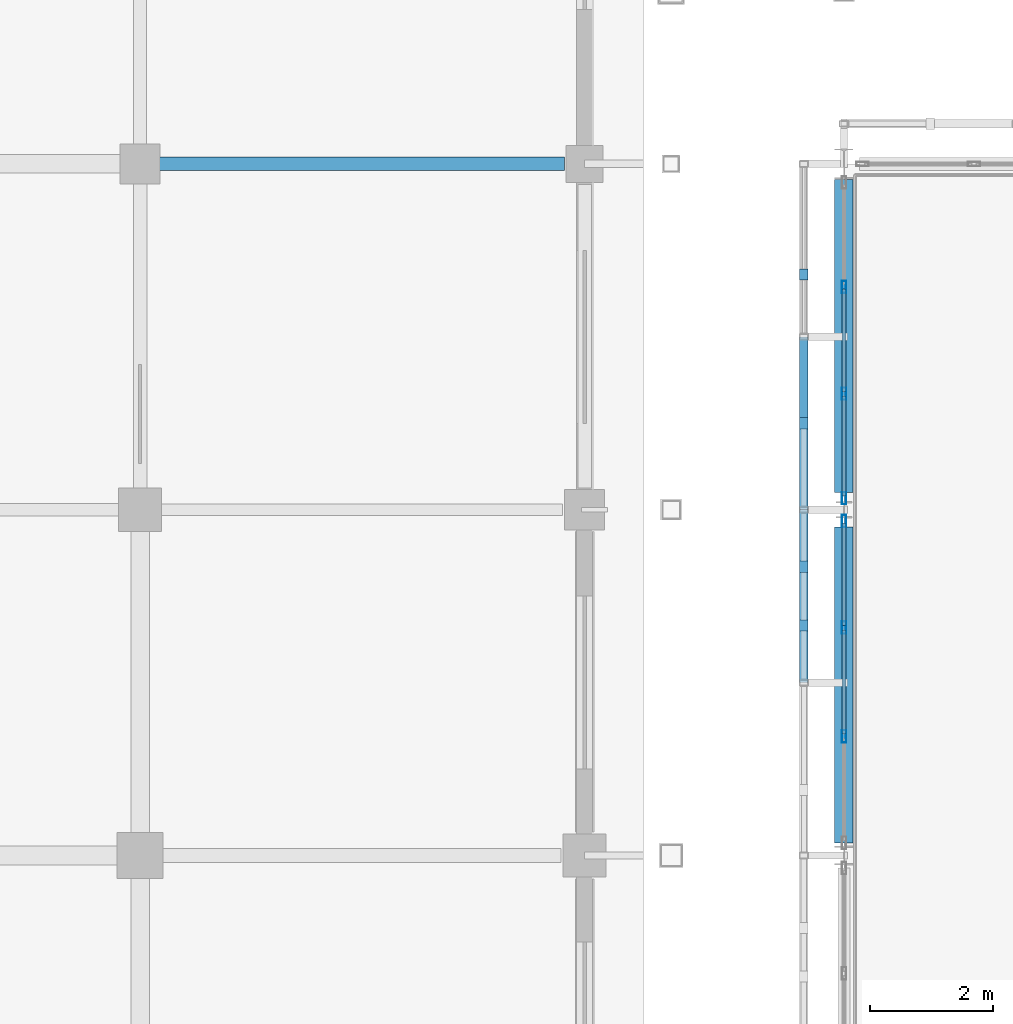
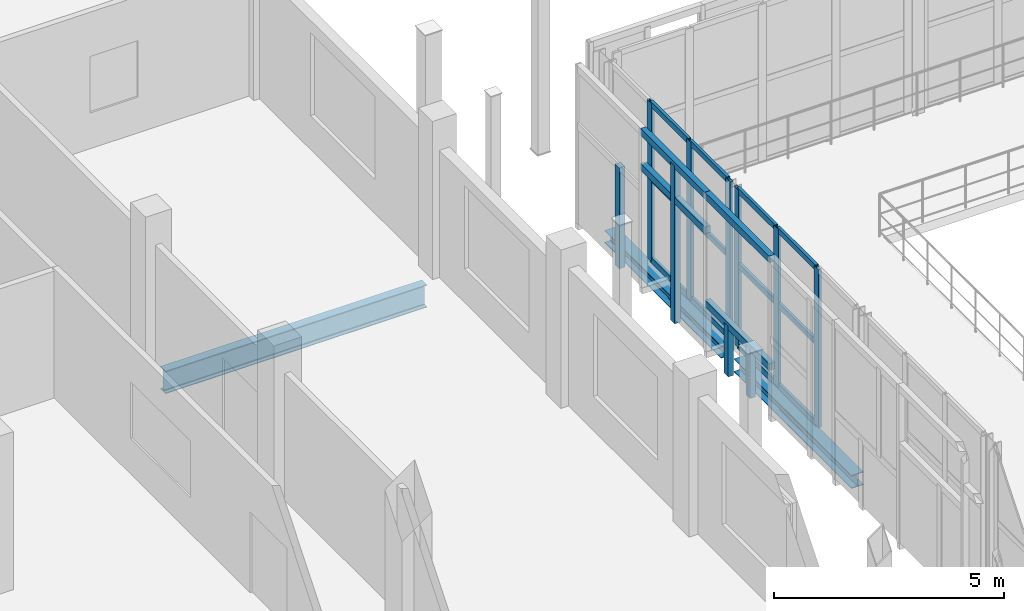
# One storey, part 42 of 121: 26 members, 3 beams, 2 elements without a shape of their own.
"""IFC4 building model written with IfcOpenShell, lengths in metres."""

from ifc_helpers import new_model, si_unit, direction, frame, origin, origin_2d, place, context, subcontext, project, spatial, rectangle, hollow_rectangle, i_section, extrude, material, layer, layer_set, material_profile, profile_set, type_object, element, aggregate, save


model = new_model("IFC4")

# Units and contexts
model_context = context("Model", 3, precision=1e-05, world=origin(), true_north=direction((0.0, 1.0)))
body_context = subcontext(model_context, "Body", "Model", "MODEL_VIEW")
ifc_project = project(units=[si_unit("LENGTHUNIT", "METRE"), si_unit("AREAUNIT", "SQUARE_METRE"), si_unit("VOLUMEUNIT", "CUBIC_METRE"), si_unit("PLANEANGLEUNIT", "RADIAN"), si_unit("MASSUNIT", "GRAM", prefix="KILO")], contexts=[model_context])

# Site, building, storey
site_placement = place(None, origin())
site = spatial("IfcSite", under=ifc_project, at=site_placement, CompositionType="ELEMENT")
building_placement = place(site_placement, origin())
building = spatial("IfcBuilding", under=site, at=building_placement, Name="Vinh Khe Railworks Police Headquarters", CompositionType="ELEMENT")
storey_placement = place(building_placement, frame((0.0, 0.0, 4.800048828125)))
storey = spatial("IfcBuildingStorey", under=building, at=storey_placement, Name="L01", CompositionType="ELEMENT", Elevation=4.800048828125)

# Members
ifc_material_1 = material(Name="Salvaged ironwood timber", Category="wood")
ifc_material_profile_1 = material_profile(ifc_material_1, rectangle(XDim=0.139892578125, YDim=0.179931640625, at=origin_2d()), Name="TIMBER 140x180")
ifc_profile_set_1 = profile_set([ifc_material_profile_1], Name="Salvaged ironwood timber")
member_type_1 = type_object("IfcMemberType", Name="MEM-QUILT-STILE", PredefinedType="CHORD", material=ifc_profile_set_1)
for number, where, z_axis, x_axis, name in (
    (1, (25.75, 50.39990234375, 4.119873046875), (0.0, 1.0, 0.0), (-1.0, 0.0, 0.0), "Salvaged Timber Quilt Transom W-L01-09-TOP"),
    (2, (25.75, 50.39990234375, 1.260009765625), (0.0, 1.0, 0.0), (-1.0, 0.0, 0.0), "Salvaged Timber Quilt Transom W-L01-09-M1"),
):
    element("IfcMember", number, at=place(storey_placement, frame(where, z_axis=z_axis, x_axis=x_axis)), inside=storey, type_object=member_type_1, Name=name, PredefinedType="CHORD", context=body_context, shape_type="SweptSolid", body=[
        extrude(rectangle(XDim=0.139892578125, YDim=0.179931640625, at=origin_2d()), origin(), (0.0, 0.0, 1.0), 2.800048828125),
    ])
for number, where, z_axis, x_axis, name in (
    (3, (25.75, 51.323974609375, -0.080078125), (0.0, 0.0, 1.0), (1.0, 0.0, 0.0), "Salvaged Timber Quilt Stile W-L01-09-V1"),
    (4, (25.75, 52.27587890625, -0.080078125), (0.0, 0.0, 1.0), (1.0, 0.0, 0.0), "Salvaged Timber Quilt Stile W-L01-09-V2"),
):
    element("IfcMember", number, at=place(storey_placement, frame(where, z_axis=z_axis, x_axis=x_axis)), inside=storey, type_object=member_type_1, Name=name, PredefinedType="POST", context=body_context, shape_type="SweptSolid", body=[
        extrude(rectangle(XDim=0.139892578125, YDim=0.179931640625, at=origin_2d()), origin(), (0.0, 0.0, 1.0), 1.340087890625),
    ])
for number, where, z_axis, x_axis, name in (
    (5, (25.75, 53.199951171875, 4.119873046875), (0.0, 1.0, 0.0), (-1.0, 0.0, 0.0), "Salvaged Timber Quilt Transom W-L01-10-TOP"),
    (6, (25.75, 53.199951171875, 3.19189453125), (0.0, 1.0, 0.0), (-1.0, 0.0, 0.0), "Salvaged Timber Quilt Transom W-L01-10-M1"),
):
    element("IfcMember", number, at=place(storey_placement, frame(where, z_axis=z_axis, x_axis=x_axis)), inside=storey, type_object=member_type_1, Name=name, PredefinedType="CHORD", context=body_context, shape_type="SweptSolid", body=[
        extrude(rectangle(XDim=0.139892578125, YDim=0.179931640625, at=origin_2d()), origin(), (0.0, 0.0, 1.0), 2.800048828125),
    ])
member_1_placement = place(storey_placement, frame((25.75, 54.60009765625, -0.080078125), z_axis=(0.0, 0.0, 1.0), x_axis=(1.0, 0.0, 0.0)))
element("IfcMember", 7, at=member_1_placement, inside=storey, type_object=member_type_1, Name="Salvaged Timber Quilt Stile W-L01-10-V1", PredefinedType="POST", context=body_context, shape_type="SweptSolid", body=[
    extrude(rectangle(XDim=0.139892578125, YDim=0.179931640625, at=origin_2d()), origin(), (0.0, 0.0, 1.0), 4.199951171875),
])
member_2_placement = place(storey_placement, frame((25.75, 57.008056640625, -0.080078125), z_axis=(0.0, 0.0, 1.0), x_axis=(1.0, 0.0, 0.0)))
element("IfcMember", 8, at=member_2_placement, inside=storey, type_object=member_type_1, Name="Salvaged Timber Quilt Stile W-L01-11-V1", PredefinedType="POST", context=body_context, shape_type="SweptSolid", body=[
    extrude(rectangle(XDim=0.139892578125, YDim=0.179931640625, at=origin_2d()), origin(), (0.0, 0.0, 1.0), 2.68408203125),
])

# Curtain wall, members
ifc_material_2 = material(Name="Anodised aluminium and low-iron glass", Category="aluminium")
ifc_layer = layer(ifc_material_2, 0.179931640625)
ifc_layer_set = layer_set([ifc_layer], Name="Anodised aluminium and low-iron glass")
curtain_wall_type = type_object("IfcCurtainWallType", Name="CW-CUBE-UNIT", PredefinedType="USERDEFINED", material=ifc_layer_set)
curtain_wall_1_placement = place(storey_placement, origin())
curtain_wall_1 = element("IfcCurtainWall", 9, at=curtain_wall_1_placement, inside=storey, type_object=curtain_wall_type, Name="Entrance Hall Curtain Wall L01 W-5", ObjectType="UNITISED GLAZING", PredefinedType="USERDEFINED")
ifc_material_3 = material(Name="Anodised aluminium 6063-T6", Category="aluminium")
ifc_material_profile_2 = material_profile(ifc_material_3, hollow_rectangle(XDim=0.070068359375, YDim=0.199951171875, WallThickness=0.0048828125, at=origin_2d()), Name="CW-M 70x200x5")
ifc_profile_set_2 = profile_set([ifc_material_profile_2], Name="Anodised aluminium 6063-T6")
member_type_2 = type_object("IfcMemberType", Name="MULL-CWM-03", PredefinedType="MULLION", material=ifc_profile_set_2)
member_3_placement = place(storey_placement, frame((26.39990234375, 49.530029296875, 0.0), z_axis=(0.0, 0.0, 1.0), x_axis=(-1.0, 0.0, 0.0)))
member_3 = element("IfcMember", 10, at=member_3_placement, type_object=member_type_2, Name="CW-01 mullion 2", PredefinedType="MULLION", context=body_context, shape_type="SweptSolid", body=[
    extrude(hollow_rectangle(XDim=0.070068359375, YDim=0.199951171875, WallThickness=0.0048828125, at=origin_2d()), origin(), (0.0, 0.0, 1.0), 4.199951171875),
])
member_4_placement = place(storey_placement, frame((26.39990234375, 51.2900390625, 0.0), z_axis=(0.0, 0.0, 1.0), x_axis=(-1.0, 0.0, 0.0)))
member_4 = element("IfcMember", 11, at=member_4_placement, type_object=member_type_2, Name="CW-01 mullion 3", PredefinedType="MULLION", context=body_context, shape_type="SweptSolid", body=[
    extrude(hollow_rectangle(XDim=0.070068359375, YDim=0.199951171875, WallThickness=0.0048828125, at=origin_2d()), origin(), (0.0, 0.0, 1.0), 4.199951171875),
])
member_5_placement = place(storey_placement, frame((26.39990234375, 53.014892578125, 0.0), z_axis=(0.0, 0.0, 1.0), x_axis=(-1.0, 0.0, 0.0)))
member_5 = element("IfcMember", 12, at=member_5_placement, type_object=member_type_2, Name="CW-01 mullion 4", PredefinedType="MULLION", context=body_context, shape_type="SweptSolid", body=[
    extrude(hollow_rectangle(XDim=0.070068359375, YDim=0.199951171875, WallThickness=0.0048828125, at=origin_2d()), origin(), (0.0, 0.0, 1.0), 4.199951171875),
])

curtain_wall_2_placement = place(storey_placement, origin())
curtain_wall_2 = element("IfcCurtainWall", 13, at=curtain_wall_2_placement, inside=storey, type_object=curtain_wall_type, Name="Entrance Hall Curtain Wall L01 W-6", ObjectType="UNITISED GLAZING", PredefinedType="USERDEFINED")
member_6_placement = place(storey_placement, frame((26.39990234375, 53.385009765625, 0.0), z_axis=(0.0, 0.0, 1.0), x_axis=(-1.0, 0.0, 0.0)))
member_6 = element("IfcMember", 14, at=member_6_placement, type_object=member_type_2, Name="CW-01 mullion 1", PredefinedType="MULLION", context=body_context, shape_type="SweptSolid", body=[
    extrude(hollow_rectangle(XDim=0.070068359375, YDim=0.199951171875, WallThickness=0.0048828125, at=origin_2d()), origin(), (0.0, 0.0, 1.0), 4.199951171875),
])
member_7_placement = place(storey_placement, frame((26.39990234375, 55.078369140625, 0.0), z_axis=(0.0, 0.0, 1.0), x_axis=(-1.0, 0.0, 0.0)))
member_7 = element("IfcMember", 15, at=member_7_placement, type_object=member_type_2, Name="CW-01 mullion 2", PredefinedType="MULLION", context=body_context, shape_type="SweptSolid", body=[
    extrude(hollow_rectangle(XDim=0.070068359375, YDim=0.199951171875, WallThickness=0.0048828125, at=origin_2d()), origin(), (0.0, 0.0, 1.0), 4.199951171875),
])
member_8_placement = place(storey_placement, frame((26.39990234375, 56.806640625, 0.0), z_axis=(0.0, 0.0, 1.0), x_axis=(-1.0, 0.0, 0.0)))
member_8 = element("IfcMember", 16, at=member_8_placement, type_object=member_type_2, Name="CW-01 mullion 3", PredefinedType="MULLION", context=body_context, shape_type="SweptSolid", body=[
    extrude(hollow_rectangle(XDim=0.070068359375, YDim=0.199951171875, WallThickness=0.0048828125, at=origin_2d()), origin(), (0.0, 0.0, 1.0), 4.199951171875),
])

# Beams
ifc_material_4 = material(Name="Steel S355JR", Category="steel")
ifc_material_profile_3 = material_profile(ifc_material_4, i_section(OverallWidth=0.300048828125, OverallDepth=0.330078125, WebThickness=0.009521484375, FlangeThickness=0.0166015625, FilletRadius=0.027099609375, at=origin_2d()), Name="HEA 340")
ifc_profile_set_3 = profile_set([ifc_material_profile_3], Name="Steel S355JR")
beam_type_1 = type_object("IfcBeamType", Name="Steel Girder HEA 340", PredefinedType="BEAM", material=ifc_profile_set_3)
beam_1_placement = place(storey_placement, frame((26.39990234375, 53.47998046875, -0.405029296875), z_axis=(0.0, 1.0, 0.0), x_axis=(-1.0, 0.0, 0.0)))
element("IfcBeam", 17, at=beam_1_placement, inside=storey, type_object=beam_type_1, Name="Girder BM-L01-NS-SB-16-0638", PredefinedType="BEAM", context=body_context, shape_type="SweptSolid", body=[
    extrude(i_section(OverallWidth=0.300048828125, OverallDepth=0.330078125, WebThickness=0.009521484375, FlangeThickness=0.0166015625, FilletRadius=0.027099609375, at=origin_2d()), origin(), (0.0, 0.0, 1.0), 5.06494140625),
])
ifc_material_profile_4 = material_profile(ifc_material_4, i_section(OverallWidth=0.300048828125, OverallDepth=0.35009765625, WebThickness=0.010009765625, FlangeThickness=0.017578125, FilletRadius=0.027099609375, at=origin_2d()), Name="HEA 360")
ifc_profile_set_4 = profile_set([ifc_material_profile_4], Name="Steel S355JR")
beam_type_2 = type_object("IfcBeamType", Name="Steel Girder HEA 360", PredefinedType="BEAM", material=ifc_profile_set_4)
beam_2_placement = place(storey_placement, frame((26.39990234375, 47.804931640625, -0.4150390625), z_axis=(0.0, 1.0, 0.0), x_axis=(-1.0, 0.0, 0.0)))
element("IfcBeam", 18, at=beam_2_placement, inside=storey, type_object=beam_type_2, Name="Girder BM-L01-NS-SB-15-0637", PredefinedType="BEAM", context=body_context, shape_type="SweptSolid", body=[
    extrude(i_section(OverallWidth=0.300048828125, OverallDepth=0.35009765625, WebThickness=0.010009765625, FlangeThickness=0.017578125, FilletRadius=0.027099609375, at=origin_2d()), origin(), (0.0, 0.0, 1.0), 5.114990234375),
])
ifc_material_profile_5 = material_profile(ifc_material_4, i_section(OverallWidth=0.219970703125, OverallDepth=0.60009765625, WebThickness=0.011962890625, FlangeThickness=0.01904296875, FilletRadius=0.02392578125, at=origin_2d()), Name="IPE 600")
ifc_profile_set_5 = profile_set([ifc_material_profile_5], Name="Steel S355JR")
beam_type_3 = type_object("IfcBeamType", Name="Steel Girder IPE 600", PredefinedType="BEAM", material=ifc_profile_set_5)
beam_3_placement = place(storey_placement, frame((15.304931640625, 58.800048828125, -0.5400390625), z_axis=(1.0, 0.0, 0.0), x_axis=(0.0, 1.0, 0.0)))
element("IfcBeam", 19, at=beam_3_placement, inside=storey, type_object=beam_type_3, Name="Girder BM-L01-EW-SB-17-0459", PredefinedType="BEAM", context=body_context, shape_type="SweptSolid", body=[
    extrude(i_section(OverallWidth=0.219970703125, OverallDepth=0.60009765625, WebThickness=0.011962890625, FlangeThickness=0.01904296875, FilletRadius=0.02392578125, at=origin_2d()), origin(), (0.0, 0.0, 1.0), 6.565185546875),
])

# Member
ifc_material_profile_6 = material_profile(ifc_material_3, hollow_rectangle(XDim=0.070068359375, YDim=0.14990234375, WallThickness=0.0048828125, at=origin_2d()), Name="CW-T 70x150x5")
ifc_profile_set_6 = profile_set([ifc_material_profile_6], Name="Anodised aluminium 6063-T6")
member_type_3 = type_object("IfcMemberType", Name="TRAN-CWT-03", PredefinedType="USERDEFINED", material=ifc_profile_set_6)
member_9_placement = place(storey_placement, frame((26.39990234375, 49.56494140625, 0.034912109375), z_axis=(0.0, 1.0, 0.0), x_axis=(-1.0, 0.0, 0.0)))
member_9 = element("IfcMember", 20, at=member_9_placement, type_object=member_type_3, Name="CW-01 transom 2.1", ObjectType="TRANSOM", PredefinedType="USERDEFINED", context=body_context, shape_type="SweptSolid", body=[
    extrude(hollow_rectangle(XDim=0.070068359375, YDim=0.14990234375, WallThickness=0.0048828125, at=origin_2d()), origin(), (0.0, 0.0, 1.0), 1.68994140625),
])

member_10_placement = place(storey_placement, frame((26.39990234375, 49.56494140625, 2.183837890625), z_axis=(0.0, 1.0, 0.0), x_axis=(-1.0, 0.0, 0.0)))
member_10 = element("IfcMember", 21, at=member_10_placement, type_object=member_type_3, Name="CW-01 transom 2.2", ObjectType="TRANSOM", PredefinedType="USERDEFINED", context=body_context, shape_type="SweptSolid", body=[
    extrude(hollow_rectangle(XDim=0.070068359375, YDim=0.14990234375, WallThickness=0.0048828125, at=origin_2d()), origin(), (0.0, 0.0, 1.0), 1.68994140625),
])

member_11_placement = place(storey_placement, frame((26.39990234375, 49.56494140625, 4.1650390625), z_axis=(0.0, 1.0, 0.0), x_axis=(-1.0, 0.0, 0.0)))
member_11 = element("IfcMember", 22, at=member_11_placement, type_object=member_type_3, Name="CW-01 transom 2.3", ObjectType="TRANSOM", PredefinedType="USERDEFINED", context=body_context, shape_type="SweptSolid", body=[
    extrude(hollow_rectangle(XDim=0.070068359375, YDim=0.14990234375, WallThickness=0.0048828125, at=origin_2d()), origin(), (0.0, 0.0, 1.0), 1.68994140625),
])

member_12_placement = place(storey_placement, frame((26.39990234375, 51.324951171875, 0.034912109375), z_axis=(0.0, 1.0, 0.0), x_axis=(-1.0, 0.0, 0.0)))
member_12 = element("IfcMember", 23, at=member_12_placement, type_object=member_type_3, Name="CW-01 transom 3.1", ObjectType="TRANSOM", PredefinedType="USERDEFINED", context=body_context, shape_type="SweptSolid", body=[
    extrude(hollow_rectangle(XDim=0.070068359375, YDim=0.14990234375, WallThickness=0.0048828125, at=origin_2d()), origin(), (0.0, 0.0, 1.0), 1.655029296875),
])

member_13_placement = place(storey_placement, frame((26.39990234375, 51.324951171875, 2.183837890625), z_axis=(0.0, 1.0, 0.0), x_axis=(-1.0, 0.0, 0.0)))
member_13 = element("IfcMember", 24, at=member_13_placement, type_object=member_type_3, Name="CW-01 transom 3.2", ObjectType="TRANSOM", PredefinedType="USERDEFINED", context=body_context, shape_type="SweptSolid", body=[
    extrude(hollow_rectangle(XDim=0.070068359375, YDim=0.14990234375, WallThickness=0.0048828125, at=origin_2d()), origin(), (0.0, 0.0, 1.0), 1.655029296875),
])

member_14_placement = place(storey_placement, frame((26.39990234375, 51.324951171875, 4.1650390625), z_axis=(0.0, 1.0, 0.0), x_axis=(-1.0, 0.0, 0.0)))
member_14 = element("IfcMember", 25, at=member_14_placement, type_object=member_type_3, Name="CW-01 transom 3.3", ObjectType="TRANSOM", PredefinedType="USERDEFINED", context=body_context, shape_type="SweptSolid", body=[
    extrude(hollow_rectangle(XDim=0.070068359375, YDim=0.14990234375, WallThickness=0.0048828125, at=origin_2d()), origin(), (0.0, 0.0, 1.0), 1.655029296875),
])

aggregate(curtain_wall_1, [member_3, member_4, member_5, member_9, member_10, member_11, member_12, member_13, member_14])

member_15_placement = place(storey_placement, frame((26.39990234375, 53.419921875, 0.034912109375), z_axis=(0.0, 1.0, 0.0), x_axis=(-1.0, 0.0, 0.0)))
member_15 = element("IfcMember", 26, at=member_15_placement, type_object=member_type_3, Name="CW-01 transom 1.1", ObjectType="TRANSOM", PredefinedType="USERDEFINED", context=body_context, shape_type="SweptSolid", body=[
    extrude(hollow_rectangle(XDim=0.070068359375, YDim=0.14990234375, WallThickness=0.0048828125, at=origin_2d()), origin(), (0.0, 0.0, 1.0), 1.623291015625),
])

member_16_placement = place(storey_placement, frame((26.39990234375, 53.419921875, 2.183837890625), z_axis=(0.0, 1.0, 0.0), x_axis=(-1.0, 0.0, 0.0)))
member_16 = element("IfcMember", 27, at=member_16_placement, type_object=member_type_3, Name="CW-01 transom 1.2", ObjectType="TRANSOM", PredefinedType="USERDEFINED", context=body_context, shape_type="SweptSolid", body=[
    extrude(hollow_rectangle(XDim=0.070068359375, YDim=0.14990234375, WallThickness=0.0048828125, at=origin_2d()), origin(), (0.0, 0.0, 1.0), 1.623291015625),
])

member_17_placement = place(storey_placement, frame((26.39990234375, 53.419921875, 4.1650390625), z_axis=(0.0, 1.0, 0.0), x_axis=(-1.0, 0.0, 0.0)))
member_17 = element("IfcMember", 28, at=member_17_placement, type_object=member_type_3, Name="CW-01 transom 1.3", ObjectType="TRANSOM", PredefinedType="USERDEFINED", context=body_context, shape_type="SweptSolid", body=[
    extrude(hollow_rectangle(XDim=0.070068359375, YDim=0.14990234375, WallThickness=0.0048828125, at=origin_2d()), origin(), (0.0, 0.0, 1.0), 1.623291015625),
])

member_18_placement = place(storey_placement, frame((26.39990234375, 55.11328125, 0.034912109375), z_axis=(0.0, 1.0, 0.0), x_axis=(-1.0, 0.0, 0.0)))
member_18 = element("IfcMember", 29, at=member_18_placement, type_object=member_type_3, Name="CW-01 transom 2.1", ObjectType="TRANSOM", PredefinedType="USERDEFINED", context=body_context, shape_type="SweptSolid", body=[
    extrude(hollow_rectangle(XDim=0.070068359375, YDim=0.14990234375, WallThickness=0.0048828125, at=origin_2d()), origin(), (0.0, 0.0, 1.0), 1.658447265625),
])

member_19_placement = place(storey_placement, frame((26.39990234375, 55.11328125, 2.183837890625), z_axis=(0.0, 1.0, 0.0), x_axis=(-1.0, 0.0, 0.0)))
member_19 = element("IfcMember", 30, at=member_19_placement, type_object=member_type_3, Name="CW-01 transom 2.2", ObjectType="TRANSOM", PredefinedType="USERDEFINED", context=body_context, shape_type="SweptSolid", body=[
    extrude(hollow_rectangle(XDim=0.070068359375, YDim=0.14990234375, WallThickness=0.0048828125, at=origin_2d()), origin(), (0.0, 0.0, 1.0), 1.658447265625),
])

member_20_placement = place(storey_placement, frame((26.39990234375, 55.11328125, 4.1650390625), z_axis=(0.0, 1.0, 0.0), x_axis=(-1.0, 0.0, 0.0)))
member_20 = element("IfcMember", 31, at=member_20_placement, type_object=member_type_3, Name="CW-01 transom 2.3", ObjectType="TRANSOM", PredefinedType="USERDEFINED", context=body_context, shape_type="SweptSolid", body=[
    extrude(hollow_rectangle(XDim=0.070068359375, YDim=0.14990234375, WallThickness=0.0048828125, at=origin_2d()), origin(), (0.0, 0.0, 1.0), 1.658447265625),
])

aggregate(curtain_wall_2, [member_6, member_7, member_8, member_15, member_16, member_17, member_18, member_19, member_20])

save(model, "model.ifc")
